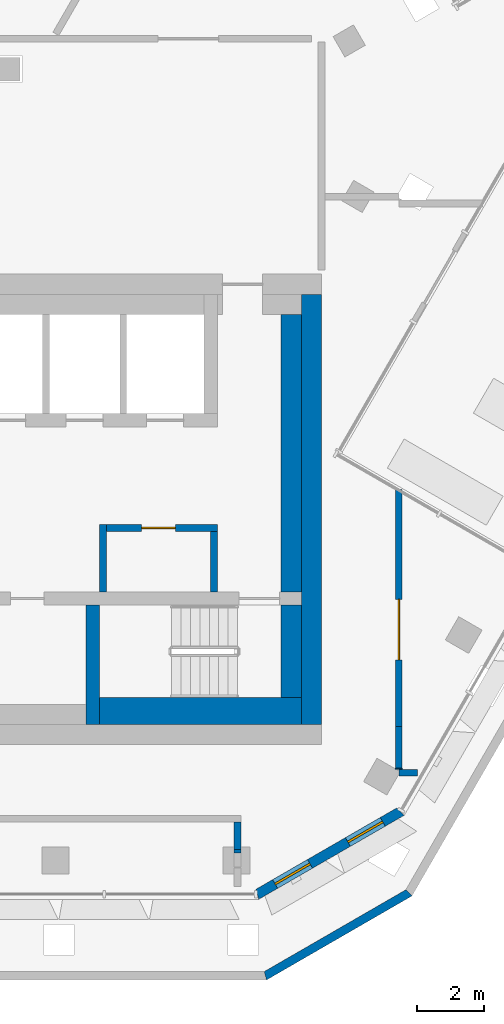
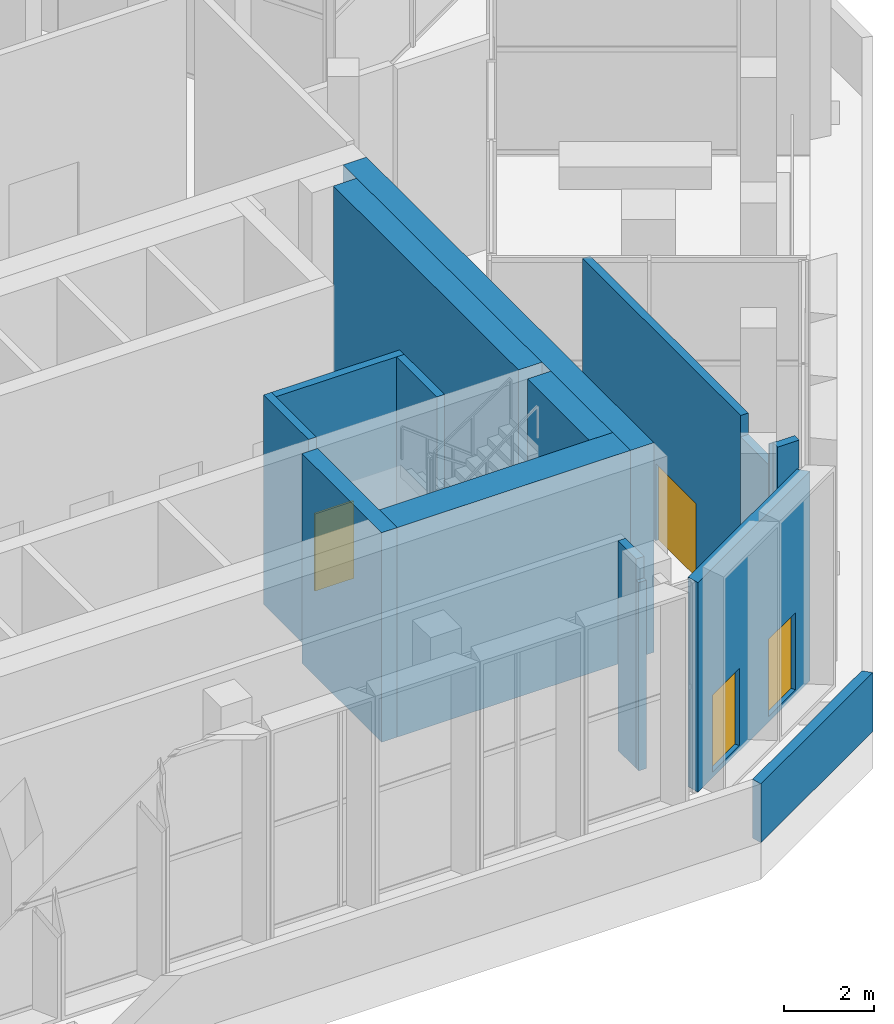
# One storey, part 10 of 23: 16 walls, 2 doors, 2 windows, 4 openings.
"""IFC4 building model written with IfcOpenShell, lengths in metres."""

from ifc_helpers import new_model, si_unit, direction, frame, frame_2d, origin, place, context, subcontext, project, spatial, polyline, rectangle, outline, extrude, material, layer, layer_set, type_object, element, fill, save


model = new_model("IFC4")

# Units and contexts
model_context = context("Model", 3, precision=1e-05, world=origin(), true_north=direction((0.0, 1.0)))
body_context = subcontext(model_context, "Body", "Model", "MODEL_VIEW")
ifc_project = project(units=[si_unit("LENGTHUNIT", "METRE"), si_unit("AREAUNIT", "SQUARE_METRE"), si_unit("VOLUMEUNIT", "CUBIC_METRE"), si_unit("PLANEANGLEUNIT", "RADIAN"), si_unit("MASSUNIT", "GRAM", prefix="KILO")], contexts=[model_context])

# Site, building, storey
site_placement = place(None, origin())
site = spatial("IfcSite", under=ifc_project, at=site_placement, CompositionType="ELEMENT")
building_placement = place(site_placement, origin())
building = spatial("IfcBuilding", under=site, at=building_placement, Name="Beryl Residences", CompositionType="ELEMENT")
storey_placement = place(building_placement, frame((0.0, 0.0, 157.199951171875)))
storey = spatial("IfcBuildingStorey", under=building, at=storey_placement, Name="L48", CompositionType="ELEMENT", Elevation=157.199951171875)

# Wall, openings, windows
ifc_material_1 = material(Name="Composite metal panel with mineral wool insulation")
ifc_layer_1 = layer(ifc_material_1, 0.300048828125)
ifc_layer_set_1 = layer_set([ifc_layer_1], Name="ES1 pale metal composite panel wall 300 mm")
wall_type_1 = type_object("IfcWallType", Name="ES1 pale metal composite panel wall 300 mm", PredefinedType="SOLIDWALL", material=ifc_layer_set_1)
wall_1_placement = place(storey_placement, frame((11.35595703125, -23.469970703125, 0.0), z_axis=(0.0, 0.0, 1.0), x_axis=(0.866022959057, 0.500004234368, 0.0)))
wall_1 = element("IfcWall", 1, at=wall_1_placement, inside=storey, type_object=wall_type_1, Name="ES1 external wall L48 S-SE", PredefinedType="SOLIDWALL", context=body_context, shape_type="SweptSolid", body=[
    extrude(outline(polyline([(0.0, -0.14990234375), (5.0, -0.14990234375), (4.919677734375, 0.14990234375), (0.080322265625, 0.14990234375), (0.0, -0.14990234375)])), origin(), (0.0, 0.0, 1.0), 5.699951171875),
])
opening_1_placement = place(wall_1_placement, frame((0.64990234375, 0.0, 0.14990234375)))
opening_1 = element("IfcOpeningElement", 2, at=opening_1_placement, cuts=wall_1, Name="Opening W2", PredefinedType="OPENING", context=body_context, shape_type="SweptSolid", body=[
    extrude(rectangle(XDim=1.199951171875, YDim=2.10009765625, at=frame_2d((0.60009765625, 1.050048828125))), frame((0.0, 0.159912109375, 0.0), z_axis=(0.0, -1.0, 0.0), x_axis=(1.0, 0.0, 0.0)), (0.0, 0.0, 1.0), 0.320068359375),
])
opening_2_placement = place(wall_1_placement, frame((3.14892578125, 0.0, 0.14990234375)))
opening_2 = element("IfcOpeningElement", 3, at=opening_2_placement, cuts=wall_1, Name="Opening W2", PredefinedType="OPENING", context=body_context, shape_type="SweptSolid", body=[
    extrude(rectangle(XDim=1.199951171875, YDim=2.10009765625, at=frame_2d((0.60009765625, 1.050048828125))), frame((0.0, 0.159912109375, 0.0), z_axis=(0.0, -1.0, 0.0), x_axis=(1.0, 0.0, 0.0)), (0.0, 0.0, 1.0), 0.320068359375),
])
ifc_material_2 = material(Name="Aluminium and clear glass", Category="aluminium")
window_type = type_object("IfcWindowType", Name="W2 chamfer window 1200 x 2100 mm", PartitioningType="SINGLE_PANEL", PredefinedType="WINDOW", material=ifc_material_2)
window_1_placement = place(opening_1_placement, origin())
window_1 = element("IfcWindow", 4, at=window_1_placement, inside=storey, type_object=window_type, Name="W2 window L48 S-SE 1", OverallHeight=2.10009765625, OverallWidth=1.199951171875, PartitioningType="SINGLE_PANEL", PredefinedType="WINDOW", context=body_context, shape_type="SweptSolid", body=[
    extrude(rectangle(XDim=1.199951171875, YDim=2.10009765625, at=frame_2d((0.60009765625, 1.050048828125))), frame((0.0, 0.030029296875, 0.0), z_axis=(0.0, -1.0, 0.0), x_axis=(1.0, 0.0, 0.0)), (0.0, 0.0, 1.0), 0.06005859375),
])
fill(opening_1, window_1)
window_2_placement = place(opening_2_placement, origin())
window_2 = element("IfcWindow", 5, at=window_2_placement, inside=storey, type_object=window_type, Name="W2 window L48 S-SE 2", OverallHeight=2.10009765625, OverallWidth=1.199951171875, PartitioningType="SINGLE_PANEL", PredefinedType="WINDOW", context=body_context, shape_type="SweptSolid", body=[
    extrude(rectangle(XDim=1.199951171875, YDim=2.10009765625, at=frame_2d((0.60009765625, 1.050048828125))), frame((0.0, 0.030029296875, 0.0), z_axis=(0.0, -1.0, 0.0), x_axis=(1.0, 0.0, 0.0)), (0.0, 0.0, 1.0), 0.06005859375),
])
fill(opening_2, window_2)

# Walls
ifc_material_3 = material(Name="Precast concrete C40/50", Category="concrete")
ifc_layer_2 = layer(ifc_material_3, 0.25)
ifc_layer_set_2 = layer_set([ifc_layer_2], Name="PA1 roof parapet 250 mm")
wall_type_2 = type_object("IfcWallType", Name="PA1 roof parapet 250 mm", PredefinedType="PARAPET", material=ifc_layer_set_2)
wall_2_placement = place(storey_placement, frame((15.928955078125, -23.39111328125, 0.0), z_axis=(0.0, 0.0, 1.0), x_axis=(-0.865877295069, -0.50025644412, 0.0)))
element("IfcWall", 6, at=wall_2_placement, inside=storey, type_object=wall_type_2, Name="PA1 parapet L48 strip 5", PredefinedType="PARAPET", context=body_context, shape_type="SweptSolid", body=[
    extrude(outline(polyline([(0.06689453125, -0.125), (4.932373046875, -0.125), (4.999267578125, 0.125), (0.0, 0.125), (0.06689453125, -0.125)])), origin(), (0.0, 0.0, 1.0), 1.60009765625),
])
ifc_material_4 = material(Name="Concrete masonry", Category="masonry")
ifc_layer_3 = layer(ifc_material_4, 0.199951171875)
ifc_layer_set_3 = layer_set([ifc_layer_3], Name="PT13 lobby wall 200 mm")
wall_type_3 = type_object("IfcWallType", Name="PT13 lobby wall 200 mm", PredefinedType="PARTITIONING", material=ifc_layer_set_3)
wall_3_placement = place(storey_placement, frame((6.800048828125, -14.449951171875, 0.0), z_axis=(0.0, 0.0, 1.0), x_axis=(0.0, 1.0, 0.0)))
element("IfcWall", 7, at=wall_3_placement, inside=storey, type_object=wall_type_3, Name="Lobby wall 24", PredefinedType="PARTITIONING", context=body_context, shape_type="SweptSolid", body=[
    extrude(rectangle(XDim=2.0, YDim=0.199951171875, at=frame_2d((1.0, 0.0))), origin(), (0.0, 0.0, 1.0), 5.699951171875),
])

# Wall, opening, door
wall_4_placement = place(storey_placement, frame((6.89990234375, -12.550048828125, 0.0), z_axis=(0.0, 0.0, 1.0), x_axis=(1.0, 0.0, 0.0)))
wall_4 = element("IfcWall", 8, at=wall_4_placement, inside=storey, type_object=wall_type_3, Name="Lobby wall 25", PredefinedType="PARTITIONING", context=body_context, shape_type="SweptSolid", body=[
    extrude(rectangle(XDim=3.300048828125, YDim=0.199951171875, at=frame_2d((1.64990234375, 0.0))), origin(), (0.0, 0.0, 1.0), 5.699951171875),
])
opening_3_placement = place(wall_4_placement, frame((2.050048828125, 0.0, 0.0), z_axis=(0.0, 0.0, 1.0), x_axis=(-1.0, 0.0, 0.0)))
opening_3 = element("IfcOpeningElement", 9, at=opening_3_placement, cuts=wall_4, Name="Opening CD-D-A1", PredefinedType="OPENING", context=body_context, shape_type="SweptSolid", body=[
    extrude(rectangle(XDim=1.0, YDim=2.10009765625, at=frame_2d((0.5, 1.050048828125))), frame((0.0, 0.10986328125, 0.0), z_axis=(0.0, -1.0, 0.0), x_axis=(1.0, 0.0, 0.0)), (0.0, 0.0, 1.0), 0.219970703125),
])
ifc_material_5 = material(Name="Steel door leaf in steel frame", Category="steel")
door_type_1 = type_object("IfcDoorType", Name="D18 service room door 1000 x 2100 mm", OperationType="SINGLE_SWING_LEFT", PredefinedType="DOOR", material=ifc_material_5)
door_1_placement = place(opening_3_placement, origin())
door_1 = element("IfcDoor", 10, at=door_1_placement, inside=storey, type_object=door_type_1, Name="Door CD-D-A1 L48 001", OperationType="SINGLE_SWING_RIGHT", OverallHeight=2.10009765625, OverallWidth=1.0, PredefinedType="DOOR", context=body_context, shape_type="SweptSolid", body=[
    extrude(rectangle(XDim=1.0, YDim=2.10009765625, at=frame_2d((0.5, 1.050048828125))), frame((0.0, 0.02490234375, 0.0), z_axis=(0.0, -1.0, 0.0), x_axis=(1.0, 0.0, 0.0)), (0.0, 0.0, 1.0), 0.050048828125),
])
fill(opening_3, door_1)

# Walls
wall_5_placement = place(storey_placement, frame((10.10009765625, -14.449951171875, 0.0), z_axis=(0.0, 0.0, 1.0), x_axis=(0.0, 1.0, 0.0)))
element("IfcWall", 11, at=wall_5_placement, inside=storey, type_object=wall_type_3, Name="Lobby wall 27", PredefinedType="PARTITIONING", context=body_context, shape_type="SweptSolid", body=[
    extrude(rectangle(XDim=1.800048828125, YDim=0.199951171875, at=frame_2d((0.89990234375, 0.0))), origin(), (0.0, 0.0, 1.0), 5.699951171875),
])
ifc_material_6 = material(Name="Concrete masonry", Category="masonry")
ifc_layer_4 = layer(ifc_material_6, 0.60009765625)
ifc_layer_set_4 = layer_set([ifc_layer_4], Name="PT13-600 lobby wall 600 mm")
wall_type_4 = type_object("IfcWallType", Name="PT13-600 lobby wall 600 mm", PredefinedType="PARTITIONING", material=ifc_layer_set_4)
wall_6_placement = place(storey_placement, frame((12.39990234375, -14.449951171875, 0.0), z_axis=(0.0, 0.0, 1.0), x_axis=(0.0, 1.0, 0.0)))
element("IfcWall", 12, at=wall_6_placement, inside=storey, type_object=wall_type_4, Name="Lobby wall 31", PredefinedType="PARTITIONING", context=body_context, shape_type="SweptSolid", body=[
    extrude(rectangle(XDim=8.25, YDim=0.60009765625, at=frame_2d((4.125, 0.0))), origin(), (0.0, 0.0, 1.0), 5.699951171875),
])
ifc_material_7 = material(Name="Double stud gypsum board wall")
ifc_layer_5 = layer(ifc_material_7, 0.199951171875)
ifc_layer_set_5 = layer_set([ifc_layer_5], Name="PT4 corridor wall 200 mm double stud")
wall_type_5 = type_object("IfcWallType", Name="PT4 corridor wall 200 mm double stud", PredefinedType="PARTITIONING", material=ifc_layer_set_5)
wall_7_placement = place(storey_placement, frame((15.60009765625, -19.83203125, 0.0), z_axis=(0.0, 0.0, 1.0), x_axis=(1.0, 0.0, 0.0)))
element("IfcWall", 13, at=wall_7_placement, inside=storey, type_object=wall_type_5, Name="Wall PT4 L48 002", PredefinedType="PARTITIONING", context=body_context, shape_type="SweptSolid", body=[
    extrude(rectangle(XDim=0.553955078125, YDim=0.199951171875, at=frame_2d((0.27685546875, 0.0))), origin(), (0.0, 0.0, 1.0), 5.699951171875),
])
wall_8_placement = place(storey_placement, frame((10.800048828125, -22.22509765625, 0.0), z_axis=(0.0, 0.0, 1.0), x_axis=(0.0, 1.0, 0.0)))
element("IfcWall", 14, at=wall_8_placement, inside=storey, type_object=wall_type_5, Name="Wall PT4 L48 030", PredefinedType="PARTITIONING", context=body_context, shape_type="SweptSolid", body=[
    extrude(rectangle(XDim=0.110107421875, YDim=0.199951171875, at=frame_2d((0.05517578125, 0.0))), origin(), (0.0, 0.0, 1.0), 5.1201171875),
])
wall_9_placement = place(storey_placement, frame((10.800048828125, -22.114990234375, 0.0), z_axis=(0.0, 0.0, 1.0), x_axis=(0.0, 1.0, 0.0)))
element("IfcWall", 15, at=wall_9_placement, inside=storey, type_object=wall_type_5, Name="Wall PT4 L48 031", PredefinedType="PARTITIONING", context=body_context, shape_type="SweptSolid", body=[
    extrude(rectangle(XDim=0.81494140625, YDim=0.199951171875, at=frame_2d((0.407470703125, 0.0))), origin(), (0.0, 0.0, 1.0), 5.699951171875),
])
wall_10_placement = place(storey_placement, frame((15.60009765625, -19.73193359375, 0.0), z_axis=(0.0, 0.0, 1.0), x_axis=(0.0, 1.0, 0.0)))
element("IfcWall", 16, at=wall_10_placement, inside=storey, type_object=wall_type_5, Name="Wall PT4 L48 033", PredefinedType="PARTITIONING", context=body_context, shape_type="SweptSolid", body=[
    extrude(rectangle(XDim=0.029052734375, YDim=0.199951171875, at=frame_2d((0.0146484375, 0.0))), origin(), (0.0, 0.0, 1.0), 5.699951171875),
])
wall_11_placement = place(storey_placement, frame((15.60009765625, -19.702880859375, 0.0), z_axis=(0.0, 0.0, 1.0), x_axis=(0.0, 1.0, 0.0)))
element("IfcWall", 17, at=wall_11_placement, inside=storey, type_object=wall_type_5, Name="Wall PT4 L48 034", PredefinedType="PARTITIONING", context=body_context, shape_type="SweptSolid", body=[
    extrude(rectangle(XDim=1.246826171875, YDim=0.199951171875, at=frame_2d((0.62353515625, 0.0))), origin(), (0.0, 0.0, 1.0), 5.1201171875),
])

# Wall, opening, door
wall_12_placement = place(storey_placement, frame((15.60009765625, -18.4560546875, 0.0), z_axis=(0.0, 0.0, 1.0), x_axis=(0.0, 1.0, 0.0)))
wall_12 = element("IfcWall", 18, at=wall_12_placement, inside=storey, type_object=wall_type_5, Name="Wall PT4 L48 035", PredefinedType="PARTITIONING", context=body_context, shape_type="SweptSolid", body=[
    extrude(rectangle(XDim=7.047119140625, YDim=0.199951171875, at=frame_2d((3.5234375, 0.0))), origin(), (0.0, 0.0, 1.0), 5.699951171875),
])
opening_4_placement = place(wall_12_placement, frame((3.781005859375, 0.0, 0.0), z_axis=(0.0, 0.0, 1.0), x_axis=(-1.0, 0.0, 0.0)))
opening_4 = element("IfcOpeningElement", 19, at=opening_4_placement, cuts=wall_12, Name="Opening L48-03", PredefinedType="OPENING", context=body_context, shape_type="SweptSolid", body=[
    extrude(rectangle(XDim=1.800048828125, YDim=2.10009765625, at=frame_2d((0.89990234375, 1.050048828125))), frame((0.0, 0.10986328125, 0.0), z_axis=(0.0, -1.0, 0.0), x_axis=(1.0, 0.0, 0.0)), (0.0, 0.0, 1.0), 0.219970703125),
])
ifc_material_8 = material(Name="Timber door leaf", Category="wood")
door_type_2 = type_object("IfcDoorType", Name="D20 corridor door 1800 x 2100 mm", OperationType="DOUBLE_DOOR_SINGLE_SWING", PredefinedType="DOOR", material=ifc_material_8)
door_2_placement = place(opening_4_placement, origin())
door_2 = element("IfcDoor", 20, at=door_2_placement, inside=storey, type_object=door_type_2, Name="Door L48-03 L48 001", OperationType="DOUBLE_DOOR_SINGLE_SWING", OverallHeight=2.10009765625, OverallWidth=1.800048828125, PredefinedType="DOOR", context=body_context, shape_type="SweptSolid", body=[
    extrude(rectangle(XDim=1.800048828125, YDim=2.10009765625, at=frame_2d((0.89990234375, 1.050048828125))), frame((0.0, 0.02490234375, 0.0), z_axis=(0.0, -1.0, 0.0), x_axis=(1.0, 0.0, 0.0)), (0.0, 0.0, 1.0), 0.050048828125),
])
fill(opening_4, door_2)

# Walls
ifc_material_9 = material(Name="Concrete C40/50", Category="concrete")
ifc_layer_6 = layer(ifc_material_9, 0.60009765625)
ifc_layer_set_6 = layer_set([ifc_layer_6], Name="PT5-600 stair enclosure wall 600 mm")
wall_type_6 = type_object("IfcWallType", Name="PT5-600 stair enclosure wall 600 mm", PredefinedType="SOLIDWALL", material=ifc_layer_set_6)
wall_13_placement = place(storey_placement, frame((12.39990234375, -17.60009765625, 0.0), z_axis=(0.0, 0.0, 1.0), x_axis=(0.0, 1.0, 0.0)))
element("IfcWall", 21, at=wall_13_placement, inside=storey, type_object=wall_type_6, Name="Stair wall 30", PredefinedType="SOLIDWALL", context=body_context, shape_type="SweptSolid", body=[
    extrude(rectangle(XDim=2.75, YDim=0.60009765625, at=frame_2d((1.375, 0.0))), origin(), (0.0, 0.0, 1.0), 5.699951171875),
])
ifc_material_10 = material(Name="Concrete C40/50", Category="concrete")
ifc_layer_7 = layer(ifc_material_10, 0.800048828125)
ifc_layer_set_7 = layer_set([ifc_layer_7], Name="PT5-800 stair enclosure wall 800 mm")
wall_type_7 = type_object("IfcWallType", Name="PT5-800 stair enclosure wall 800 mm", PredefinedType="SOLIDWALL", material=ifc_layer_set_7)
wall_14_placement = place(storey_placement, frame((6.699951171875, -18.0, 0.0), z_axis=(0.0, 0.0, 1.0), x_axis=(1.0, 0.0, 0.0)))
element("IfcWall", 22, at=wall_14_placement, inside=storey, type_object=wall_type_7, Name="Stair wall 23", PredefinedType="SOLIDWALL", context=body_context, shape_type="SweptSolid", body=[
    extrude(rectangle(XDim=6.0, YDim=0.800048828125, at=frame_2d((3.0, 0.0))), origin(), (0.0, 0.0, 1.0), 5.699951171875),
])
ifc_material_11 = material(Name="Concrete C50/60", Category="concrete")
ifc_layer_8 = layer(ifc_material_11, 0.60009765625)
ifc_layer_set_8 = layer_set([ifc_layer_8], Name="SW4 core outer wall 600 mm C50/60")
wall_type_8 = type_object("IfcWallType", Name="SW4 core outer wall 600 mm C50/60", PredefinedType="SHEAR", material=ifc_layer_set_8)
wall_15_placement = place(storey_placement, frame((13.0, -18.39990234375, 0.0), z_axis=(0.0, 0.0, 1.0), x_axis=(0.0, 1.0, 0.0)))
element("IfcWall", 23, at=wall_15_placement, inside=storey, type_object=wall_type_8, Name="Core wall E L48", PredefinedType="SHEAR", context=body_context, shape_type="SweptSolid", body=[
    extrude(rectangle(XDim=12.7998046875, YDim=0.60009765625, at=frame_2d((6.39990234375, 0.0))), origin(), (0.0, 0.0, 1.0), 5.699951171875),
])
ifc_material_12 = material(Name="Concrete C50/60", Category="concrete")
ifc_layer_9 = layer(ifc_material_12, 0.39990234375)
ifc_layer_set_9 = layer_set([ifc_layer_9], Name="SW9 core internal wall 400 mm C50/60")
wall_type_9 = type_object("IfcWallType", Name="SW9 core internal wall 400 mm C50/60", PredefinedType="SHEAR", material=ifc_layer_set_9)
wall_16_placement = place(storey_placement, frame((6.5, -18.39990234375, 0.0), z_axis=(0.0, 0.0, 1.0), x_axis=(0.0, 1.0, 0.0)))
element("IfcWall", 24, at=wall_16_placement, inside=storey, type_object=wall_type_9, Name="Core wall XS2 L48", PredefinedType="SHEAR", context=body_context, shape_type="SweptSolid", body=[
    extrude(rectangle(XDim=3.5498046875, YDim=0.39990234375, at=frame_2d((1.77490234375, 0.0))), origin(), (0.0, 0.0, 1.0), 5.699951171875),
])

save(model, "model.ifc")
